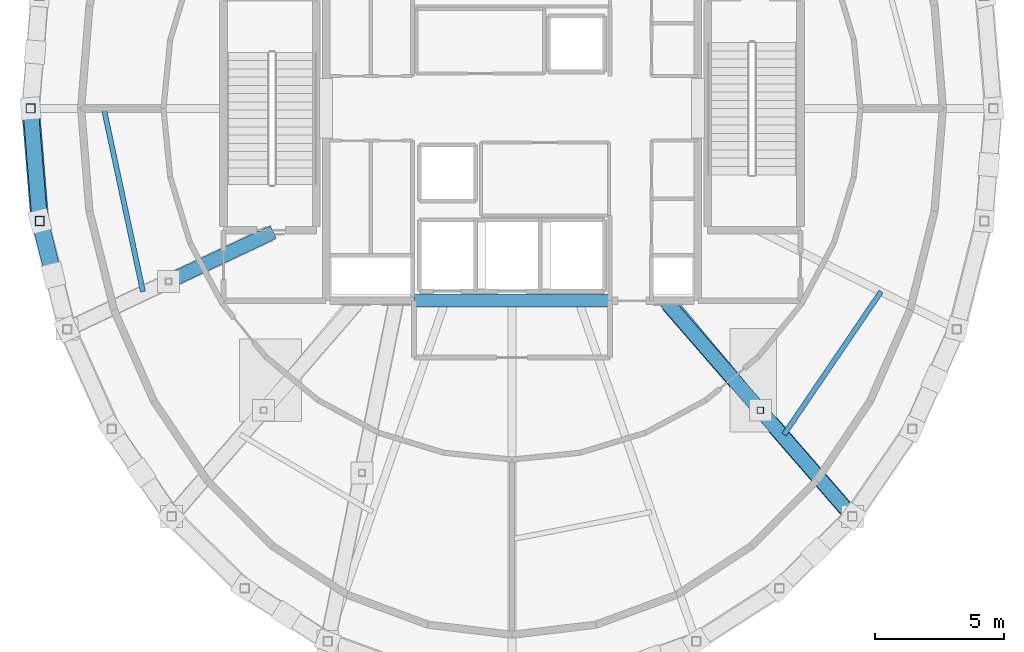
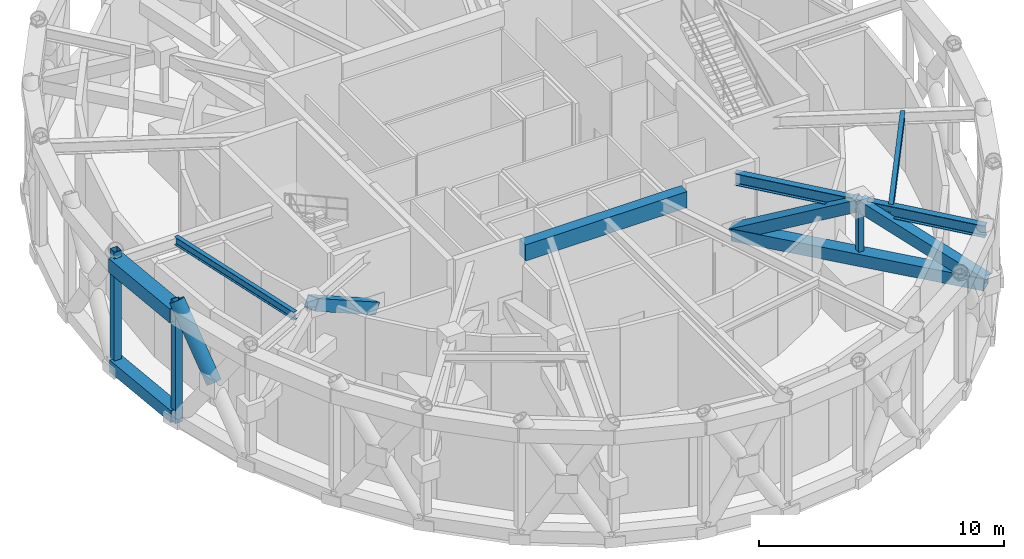
# One storey, part 2 of 11: 7 beams, 7 members.
"""IFC4 building model written with IfcOpenShell, lengths in metres."""

import ifcopenshell
import ifcopenshell.guid

model = None  # the IFC model being written
_history = None  # IfcOwnerHistory: only IFC2X3 demands one
_inside = {}  # id of a spatial element -> (the spatial element, [elements in it])
_under = {}  # id of a project, library or spatial element -> (it, [spatial elements below it])
_declared = {}  # id of a project -> (the project, [libraries it declares])
_typed = {}  # id of a type object -> (the type object, [elements of that type])
_made_of = {}  # id of a material, layer set ... -> (it, [elements and type objects made of it])


def new_model(schema):
    """Start an empty IFC model of exactly this schema.

    Asked for "IFC4X3", IfcOpenShell would pick the latest addendum, in which some entities
    have other attributes; the version numbers below select the first issue.
    IFC2X3 requires an IfcOwnerHistory on every rooted entity: one is made here for all.
    """
    global model, _history
    if schema == "IFC4X3":
        model = ifcopenshell.file(schema_version=(4, 3, 0, 0))
    else:
        model = ifcopenshell.file(schema=schema)
    _inside.clear()
    _under.clear()
    _declared.clear()
    _typed.clear()
    _made_of.clear()
    _history = None
    if model.schema == "IFC2X3":
        org = make("IfcOrganization", Name="unknown")
        user = make(
            "IfcPersonAndOrganization",
            ThePerson=make("IfcPerson", FamilyName="unknown"),
            TheOrganization=org,
        )
        app = make(
            "IfcApplication",
            ApplicationDeveloper=org,
            Version="unknown",
            ApplicationFullName="unknown",
            ApplicationIdentifier="unknown",
        )
        _history = make(
            "IfcOwnerHistory",
            OwningUser=user,
            OwningApplication=app,
            ChangeAction="ADDED",
            CreationDate=0,
        )
    return model


def make(cls, **values):
    """One entity of the class cls with the attributes given. An attribute that is None is left unset."""
    return model.create_entity(
        cls, **{name: value for name, value in values.items() if value is not None}
    )


def rooted(cls, **values):
    """An entity with a GlobalId (a new one), such as an element, a storey or a relation."""
    return make(cls, GlobalId=ifcopenshell.guid.new(), OwnerHistory=_history, **values)


def si_unit(unit_type, name, prefix=None):
    """IfcSIUnit, for example si_unit("LENGTHUNIT", "METRE", prefix="MILLI")."""
    return make("IfcSIUnit", UnitType=unit_type, Prefix=prefix, Name=name)


def assignment(units):
    """IfcUnitAssignment: the units of a project."""
    return None if units is None else make("IfcUnitAssignment", Units=units)


def point(xyz):
    """IfcCartesianPoint."""
    return None if xyz is None else make("IfcCartesianPoint", Coordinates=xyz)


def direction(xyz):
    """IfcDirection."""
    return None if xyz is None else make("IfcDirection", DirectionRatios=xyz)


def frame(location, z_axis=None, x_axis=None):
    """IfcAxis2Placement3D, a coordinate frame: its origin and axes. An axis left out is left unset."""
    return make(
        "IfcAxis2Placement3D",
        Location=point(location),
        Axis=direction(z_axis),
        RefDirection=direction(x_axis),
    )


def frame_2d(location, x_axis=None):
    """IfcAxis2Placement2D, a coordinate frame in the plane: its origin and x axis."""
    return make(
        "IfcAxis2Placement2D", Location=point(location), RefDirection=direction(x_axis)
    )


def origin():
    """The frame at (0, 0, 0) with its axes left unset."""
    return frame((0.0, 0.0, 0.0))


def origin_2d():
    """The frame at (0, 0) in the plane with its x axis left unset."""
    return frame_2d((0.0, 0.0))


def place(relative_to, where):
    """IfcLocalPlacement: puts the frame where relative to a parent placement (None: the world)."""
    return make(
        "IfcLocalPlacement", PlacementRelTo=relative_to, RelativePlacement=where
    )


def context(
    kind, dimensions, precision=None, world=None, true_north=None, identifier=None
):
    """IfcGeometricRepresentationContext, for example the 3D "Model" context."""
    return make(
        "IfcGeometricRepresentationContext",
        ContextIdentifier=identifier,
        ContextType=kind,
        CoordinateSpaceDimension=dimensions,
        Precision=precision,
        WorldCoordinateSystem=world,
        TrueNorth=true_north,
    )


def subcontext(parent, identifier, kind, view, scale=None):
    """IfcGeometricRepresentationSubContext, for example "Body" below "Model"."""
    return make(
        "IfcGeometricRepresentationSubContext",
        ContextIdentifier=identifier,
        ContextType=kind,
        ParentContext=parent,
        TargetScale=scale,
        TargetView=view,
    )


def project(units=None, contexts=None):
    """IfcProject with its units and contexts."""
    return rooted(
        "IfcProject",
        Name="project",
        RepresentationContexts=contexts,
        UnitsInContext=assignment(units),
    )


def spatial(cls, under=None, at=None, **own):
    """A site, building, storey or space (cls), placed at a placement, below another one or the project."""
    s = rooted(cls, ObjectPlacement=at, **own)
    if under is not None:
        _under.setdefault(under.id(), (under, []))[1].append(s)
    return s


def profile(cls, at=None, kind="AREA", **sizes):
    """A parametric profile (cls). Its sizes go by their IFC names, for example OverallWidth=200.0."""
    return make(cls, ProfileType=kind, Position=at, **sizes)


def rectangle(**sizes):
    """IfcRectangleProfileDef."""
    return profile("IfcRectangleProfileDef", **sizes)


def hollow_rectangle(**sizes):
    """IfcRectangleHollowProfileDef."""
    return profile("IfcRectangleHollowProfileDef", **sizes)


def hollow_circle(**sizes):
    """IfcCircleHollowProfileDef."""
    return profile("IfcCircleHollowProfileDef", **sizes)


def i_section(**sizes):
    """IfcIShapeProfileDef."""
    return profile("IfcIShapeProfileDef", **sizes)


def extrude(swept, where, along, depth):
    """IfcExtrudedAreaSolid: the profile swept, set in the frame where, extruded along a direction by depth."""
    return make(
        "IfcExtrudedAreaSolid",
        SweptArea=swept,
        Position=where,
        ExtrudedDirection=direction(along),
        Depth=depth,
    )


def shape(context_of_items, identifier, shape_type, items):
    """IfcShapeRepresentation: the items that make up one representation, for example the "Body"."""
    return make(
        "IfcShapeRepresentation",
        ContextOfItems=context_of_items,
        RepresentationIdentifier=identifier,
        RepresentationType=shape_type,
        Items=items,
    )


def material(Name=None, Category=None):
    """IfcMaterial."""
    return make("IfcMaterial", Name=Name, Category=Category)


def material_profile(
    of_material, cross_section, Name=None, Category=None, Priority=None
):
    """IfcMaterialProfile: a cross section and its material."""
    return make(
        "IfcMaterialProfile",
        Name=Name,
        Material=of_material,
        Profile=cross_section,
        Priority=Priority,
        Category=Category,
    )


def profile_set(profiles, Name=None, composite=None):
    """IfcMaterialProfileSet."""
    return make(
        "IfcMaterialProfileSet",
        Name=Name,
        MaterialProfiles=profiles,
        CompositeProfile=composite,
    )


def made_of(thing, what):
    """Note that an element or type object is made of a material, layer set ...; save() writes the relation."""
    if what is not None:
        _made_of.setdefault(what.id(), (what, []))[1].append(thing)
    return thing


def type_object(cls, material=None, **own):
    """A type object (cls), such as IfcWallType, which elements share."""
    return made_of(rooted(cls, **own), material)


def element(
    cls,
    number,
    at=None,
    inside=None,
    cuts=None,
    type_object=None,
    material=None,
    context=None,
    identifier="Body",
    shape_type=None,
    held_by="IfcProductDefinitionShape",
    body=None,
    shapes=None,
    **own,
):
    """One element of the class cls, such as IfcWall. Its Tag is "e" and its number.

    at: its placement. inside: the storey or other place that contains it. cuts: it is an
    opening in that element (IfcRelVoidsElement). A single representation is given by context,
    identifier, shape_type and body (its items); several are given by shapes. held_by: the class
    of the entity that holds the representations. save() writes the other relations.
    """
    e = rooted(cls, Tag="e%d" % number, ObjectPlacement=at, **own)
    if body is not None:
        shapes = [shape(context, identifier, shape_type, body)]
    if shapes is not None:
        e.Representation = make(held_by, Representations=shapes)
    if inside is not None:
        _inside.setdefault(inside.id(), (inside, []))[1].append(e)
    if cuts is not None:
        rooted(
            "IfcRelVoidsElement", RelatingBuildingElement=cuts, RelatedOpeningElement=e
        )
    if type_object is not None:
        _typed.setdefault(type_object.id(), (type_object, []))[1].append(e)
    return made_of(e, material)


def aggregate(whole, parts):
    """IfcRelAggregates: a whole, such as a stair, and the parts it consists of."""
    return rooted("IfcRelAggregates", RelatingObject=whole, RelatedObjects=parts)


def save(model, path):
    """Write the relations noted so far, then the file.

    IfcRelAggregates (storeys below a building ...), IfcRelContainedInSpatialStructure (elements
    in a storey), IfcRelDefinesByType, IfcRelAssociatesMaterial and IfcRelDeclares: one each for
    every whole, place, type object, material and project.
    """
    for whole, parts in _under.values():
        aggregate(whole, parts)
    for where, things in _inside.values():
        rooted(
            "IfcRelContainedInSpatialStructure",
            RelatedElements=things,
            RelatingStructure=where,
        )
    for kind, things in _typed.values():
        rooted("IfcRelDefinesByType", RelatedObjects=things, RelatingType=kind)
    for what, things in _made_of.values():
        rooted("IfcRelAssociatesMaterial", RelatedObjects=things, RelatingMaterial=what)
    for by, libraries in _declared.values():
        rooted("IfcRelDeclares", RelatingContext=by, RelatedDefinitions=libraries)
    model.write(path)


model = new_model("IFC4")

# Units and contexts
model_context = context("Model", 3, precision=1e-05, world=origin(), true_north=direction((0.0, 1.0)))
body_context = subcontext(model_context, "Body", "Model", "MODEL_VIEW")
ifc_project = project(units=[si_unit("LENGTHUNIT", "METRE"), si_unit("AREAUNIT", "SQUARE_METRE"), si_unit("VOLUMEUNIT", "CUBIC_METRE"), si_unit("PLANEANGLEUNIT", "RADIAN"), si_unit("MASSUNIT", "GRAM", prefix="KILO")], contexts=[model_context])

# Site, building, storey
site_placement = place(None, origin())
site = spatial("IfcSite", under=ifc_project, at=site_placement, CompositionType="ELEMENT")
building_placement = place(site_placement, origin())
building = spatial("IfcBuilding", under=site, at=building_placement, Name="Veldorina Hangang Commons", CompositionType="ELEMENT")
storey_placement = place(building_placement, frame((0.0, 0.0, 302.39990234375)))
storey = spatial("IfcBuildingStorey", under=building, at=storey_placement, Name="L79", CompositionType="ELEMENT", Elevation=302.39990234375)

# Beams
ifc_material_1 = material(Name="Steel SM460-TMC", Category="steel")
ifc_material_profile_1 = material_profile(ifc_material_1, hollow_rectangle(XDim=0.60009765625, YDim=0.60009765625, WallThickness=0.030029296875, at=origin_2d()), Name="BOX-600x600x30")
ifc_profile_set_1 = profile_set([ifc_material_profile_1], Name="Steel SM460-TMC")
beam_type_1 = type_object("IfcBeamType", Name="BM-BLT600", PredefinedType="BEAM", material=ifc_profile_set_1)
beam_1_placement = place(storey_placement, frame((13.35009765625, 24.0, 0.300048828125), z_axis=(0.081918593902, -0.996639023906, 0.0), x_axis=(0.996639023906, 0.081918593902, 0.0)))
element("IfcBeam", 1, at=beam_1_placement, inside=storey, type_object=beam_type_1, Name="L79 perimeter belt truss bottom chord 16", PredefinedType="BEAM", context=body_context, shape_type="SweptSolid", body=[
    extrude(hollow_rectangle(XDim=0.60009765625, YDim=0.60009765625, WallThickness=0.030029296875, at=origin_2d()), origin(), (0.0, 0.0, 1.0), 4.375),
])
beam_2_placement = place(storey_placement, frame((38.050048828125, 16.419921875, 2.85009765625), z_axis=(0.655470688374, -0.755220614578, 0.0), x_axis=(0.755220614578, 0.655470688374, 0.0)))
element("IfcBeam", 2, at=beam_2_placement, inside=storey, type_object=beam_type_1, Name="L79 outrigger chord 08", PredefinedType="BEAM", context=body_context, shape_type="SweptSolid", body=[
    extrude(hollow_rectangle(XDim=0.60009765625, YDim=0.60009765625, WallThickness=0.030029296875, at=origin_2d()), origin(), (0.0, 0.0, 1.0), 10.88916015625),
])
ifc_material_profile_2 = material_profile(ifc_material_1, hollow_rectangle(XDim=0.699951171875, YDim=0.699951171875, WallThickness=0.034912109375, at=origin_2d()), Name="BOX-700x700x35")
ifc_profile_set_2 = profile_set([ifc_material_profile_2], Name="Steel SM460-TMC")
beam_type_2 = type_object("IfcBeamType", Name="BM-BLT700", PredefinedType="BEAM", material=ifc_profile_set_2)
beam_3_placement = place(storey_placement, frame((13.35009765625, 24.0, 5.330078125), z_axis=(0.081918593902, -0.996639023906, 0.0), x_axis=(0.996639023906, 0.081918593902, 0.0)))
element("IfcBeam", 3, at=beam_3_placement, inside=storey, type_object=beam_type_2, Name="L79 perimeter hoop ring beam 16", PredefinedType="BEAM", context=body_context, shape_type="SweptSolid", body=[
    extrude(hollow_rectangle(XDim=0.699951171875, YDim=0.699951171875, WallThickness=0.034912109375, at=origin_2d()), origin(), (0.0, 0.0, 1.0), 4.375),
])
ifc_material_2 = material(Name="Concrete C50/60", Category="concrete")
ifc_material_profile_3 = material_profile(ifc_material_2, rectangle(XDim=0.5, YDim=0.800048828125, at=origin_2d()), Name="RC-CB-500x800")
ifc_profile_set_3 = profile_set([ifc_material_profile_3], Name="Concrete C50/60")
beam_type_3 = type_object("IfcBeamType", Name="BM-CB800", PredefinedType="LINTEL", material=ifc_profile_set_3)
beam_4_placement = place(storey_placement, frame((28.199951171875, 16.550048828125, 5.280029296875), z_axis=(1.0, 0.0, 0.0), x_axis=(0.0, 1.0, 0.0)))
element("IfcBeam", 4, at=beam_4_placement, inside=storey, type_object=beam_type_3, Name="L79 south core coupling beam", PredefinedType="LINTEL", context=body_context, shape_type="SweptSolid", body=[
    extrude(rectangle(XDim=0.5, YDim=0.800048828125, at=origin_2d()), origin(), (0.0, 0.0, 1.0), 7.60009765625),
])
ifc_material_profile_4 = material_profile(ifc_material_1, i_section(OverallWidth=0.300048828125, OverallDepth=0.587890625, WebThickness=0.011962890625, FlangeThickness=0.02001953125, FilletRadius=0.01806640625, at=origin_2d()), Name="H-588x300x12x20")
ifc_profile_set_4 = profile_set([ifc_material_profile_4], Name="Steel SM460-TMC")
beam_type_4 = type_object("IfcBeamType", Name="BM-FG588", PredefinedType="BEAM", material=ifc_profile_set_4)
beam_5_placement = place(storey_placement, frame((38.216796875, 16.550048828125, 5.385986328125), z_axis=(0.640685284005, -0.767803599145, 0.0), x_axis=(0.767803599145, 0.640685284005, 0.0)))
element("IfcBeam", 5, at=beam_5_placement, inside=storey, type_object=beam_type_4, Name="L79 radial floor girder 15", PredefinedType="BEAM", context=body_context, shape_type="SweptSolid", body=[
    extrude(i_section(OverallWidth=0.300048828125, OverallDepth=0.587890625, WebThickness=0.011962890625, FlangeThickness=0.02001953125, FilletRadius=0.01806640625, at=origin_2d()), origin(), (0.0, 0.0, 1.0), 10.880126953125),
])
ifc_material_3 = material(Name="Steel SM355-TMC", Category="steel")
ifc_material_profile_5 = material_profile(ifc_material_3, i_section(OverallWidth=0.199951171875, OverallDepth=0.39990234375, WebThickness=0.008056640625, FlangeThickness=0.012939453125, FilletRadius=0.012939453125, at=origin_2d()), Name="H-400x200x8x13")
ifc_profile_set_5 = profile_set([ifc_material_profile_5], Name="Steel SM355-TMC")
beam_type_5 = type_object("IfcBeamType", Name="BM-JST400", PredefinedType="JOIST", material=ifc_profile_set_5)
beam_6_placement = place(storey_placement, frame((16.188720703125, 24.0, 5.47998046875), z_axis=(0.208800658118, -0.977958222609, 0.0), x_axis=(0.977958222609, 0.208800658118, 0.0)))
element("IfcBeam", 6, at=beam_6_placement, inside=storey, type_object=beam_type_5, Name="L79 secondary floor joist 09", PredefinedType="JOIST", context=body_context, shape_type="SweptSolid", body=[
    extrude(i_section(OverallWidth=0.199951171875, OverallDepth=0.39990234375, WebThickness=0.008056640625, FlangeThickness=0.012939453125, FilletRadius=0.012939453125, at=origin_2d()), origin(), (0.0, 0.0, 1.0), 7.25634765625),
])
beam_7_placement = place(storey_placement, frame((42.53857421875, 11.37060546875, 5.47998046875), z_axis=(0.561814696499, 0.82726310615, 0.0), x_axis=(-0.82726310615, 0.561814696499, 0.0)))
element("IfcBeam", 7, at=beam_7_placement, inside=storey, type_object=beam_type_5, Name="L79 secondary floor joist 15", PredefinedType="JOIST", context=body_context, shape_type="SweptSolid", body=[
    extrude(i_section(OverallWidth=0.199951171875, OverallDepth=0.39990234375, WebThickness=0.008056640625, FlangeThickness=0.012939453125, FilletRadius=0.012939453125, at=origin_2d()), origin(), (0.0, 0.0, 1.0), 6.688232421875),
])

# Members
ifc_material_profile_6 = material_profile(ifc_material_1, hollow_circle(Radius=0.324951171875, WallThickness=0.031982421875, at=origin_2d()), Name="CHS-650x32")
ifc_profile_set_6 = profile_set([ifc_material_profile_6], Name="Steel SM460-TMC")
member_type_1 = type_object("IfcMemberType", Name="DG-CHS650", PredefinedType="BRACE", material=ifc_profile_set_6)
member_1_placement = place(storey_placement, frame((14.239013671875, 17.54345703125, 3.0), z_axis=(-0.143459294406, 0.566839163262, 0.811241513879), x_axis=(-0.969434393792, -0.24535067991, 0.0)))
element("IfcMember", 8, at=member_1_placement, inside=storey, type_object=member_type_1, Name="L79 split perimeter diagrid upper brace 18", PredefinedType="BRACE", context=body_context, shape_type="SweptSolid", body=[
    extrude(hollow_circle(Radius=0.324951171875, WallThickness=0.031982421875, at=origin_2d()), origin(), (0.0, 0.0, 1.0), 3.697998046875),
])
ifc_material_4 = material(Name="Steel SM420-TMC", Category="steel")
ifc_material_profile_7 = material_profile(ifc_material_4, hollow_rectangle(XDim=0.550048828125, YDim=0.550048828125, WallThickness=0.02490234375, at=origin_2d()), Name="BOX-550x550x25")
ifc_profile_set_7 = profile_set([ifc_material_profile_7], Name="Steel SM420-TMC")
member_type_2 = type_object("IfcMemberType", Name="OR-BOX550", PredefinedType="BRACE", material=ifc_profile_set_7)
member_2_placement = place(storey_placement, frame((22.6201171875, 19.14990234375, 2.85009765625), z_axis=(-0.769556738784, -0.362952403918, 0.525402682027), x_axis=(0.42657439603, -0.904452477829, 0.0)))
element("IfcMember", 9, at=member_2_placement, inside=storey, type_object=member_type_2, Name="L79 outrigger inner web diagonal 05", PredefinedType="BRACE", context=body_context, shape_type="SweptSolid", body=[
    extrude(hollow_rectangle(XDim=0.550048828125, YDim=0.550048828125, WallThickness=0.02490234375, at=origin_2d()), origin(), (0.0, 0.0, 1.0), 5.100830078125),
])
for number, where, z_axis, x_axis, name in (
    (10, (38.050048828125, 16.419921875, 2.85009765625), (0.588075146009, -0.677591955195, 0.441629669408), (0.755231713465, 0.655457900232, 0.0), "L79 outrigger inner web diagonal 08"),
    (11, (41.61865234375, 12.30810546875, 5.530029296875), (0.588101463726, -0.677575923661, -0.44161922064), (0.7552095158, 0.655483475951, 0.0), "L79 outrigger outer web diagonal 08"),
):
    element("IfcMember", number, at=place(storey_placement, frame(where, z_axis=z_axis, x_axis=x_axis)), inside=storey, type_object=member_type_2, Name=name, PredefinedType="BRACE", context=body_context, shape_type="SweptSolid", body=[
        extrude(hollow_rectangle(XDim=0.550048828125, YDim=0.550048828125, WallThickness=0.02490234375, at=origin_2d()), origin(), (0.0, 0.0, 1.0), 6.068359375),
    ])
ifc_material_profile_8 = material_profile(ifc_material_3, hollow_rectangle(XDim=0.25, YDim=0.25, WallThickness=0.011962890625, at=origin_2d()), Name="SHS-250x250x12")
ifc_profile_set_8 = profile_set([ifc_material_profile_8], Name="Steel SM355-TMC")
member_type_3 = type_object("IfcMemberType", Name="STR-SHS250", PredefinedType="STRUT", material=ifc_profile_set_8)
member_3_placement = place(storey_placement, frame((41.61865234375, 12.30810546875, 2.85009765625), z_axis=(0.0, 0.0, 1.0), x_axis=(1.0, 0.0, 0.0)))
element("IfcMember", 12, at=member_3_placement, inside=storey, type_object=member_type_3, Name="L79 outrigger mid vertical strut 08", PredefinedType="STRUT", context=body_context, shape_type="SweptSolid", body=[
    extrude(hollow_rectangle(XDim=0.25, YDim=0.25, WallThickness=0.011962890625, at=origin_2d()), origin(), (0.0, 0.0, 1.0), 2.679931640625),
])
ifc_material_profile_9 = material_profile(ifc_material_3, hollow_rectangle(XDim=0.35009765625, YDim=0.35009765625, WallThickness=0.01611328125, at=origin_2d()), Name="SHS-350x350x16")
ifc_profile_set_9 = profile_set([ifc_material_profile_9], Name="Steel SM355-TMC")
member_type_4 = type_object("IfcMemberType", Name="STR-SHS350", PredefinedType="STRUT", material=ifc_profile_set_9)
for number, where, z_axis, x_axis, name in (
    (13, (13.35009765625, 24.0, 0.0), (0.0, 0.0, 1.0), (1.0, 0.0, 0.0), "L79 perimeter ring node post 16"),
    (14, (13.70849609375, 19.6396484375, 0.0), (0.0, 0.0, 1.0), (1.0, 0.0, 0.0), "L79 perimeter ring node post 17"),
):
    element("IfcMember", number, at=place(storey_placement, frame(where, z_axis=z_axis, x_axis=x_axis)), inside=storey, type_object=member_type_4, Name=name, PredefinedType="STRUT", context=body_context, shape_type="SweptSolid", body=[
        extrude(hollow_rectangle(XDim=0.35009765625, YDim=0.35009765625, WallThickness=0.01611328125, at=origin_2d()), origin(), (0.0, 0.0, 1.0), 6.0),
    ])

save(model, "model.ifc")
